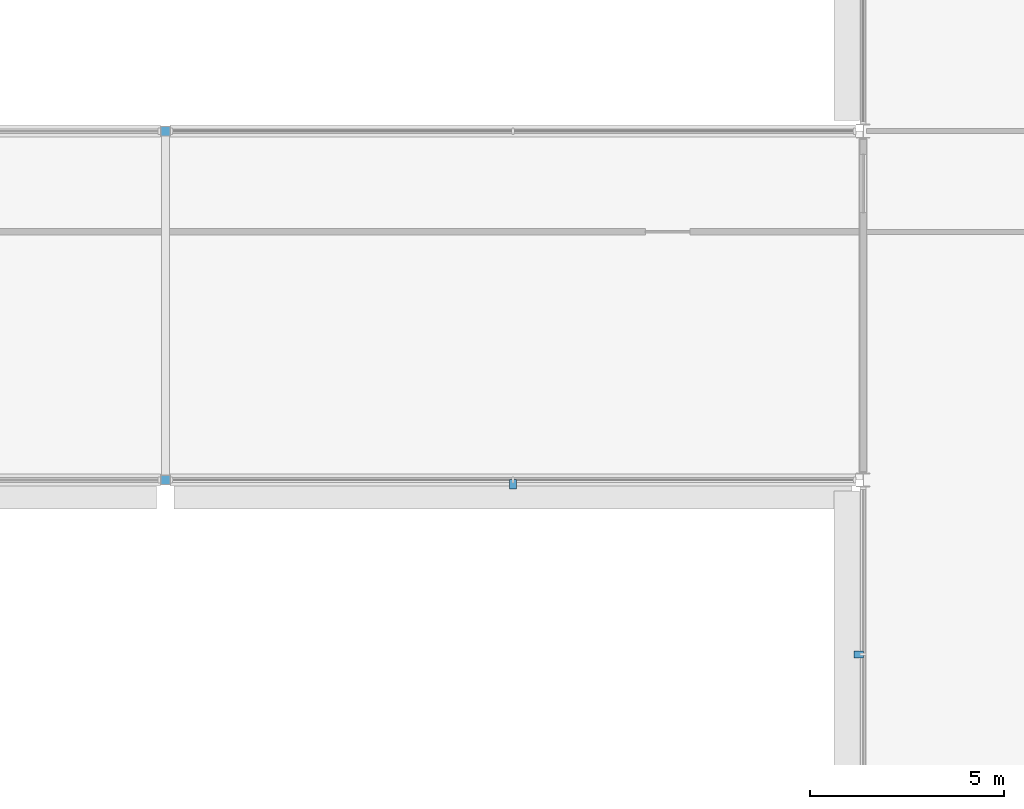
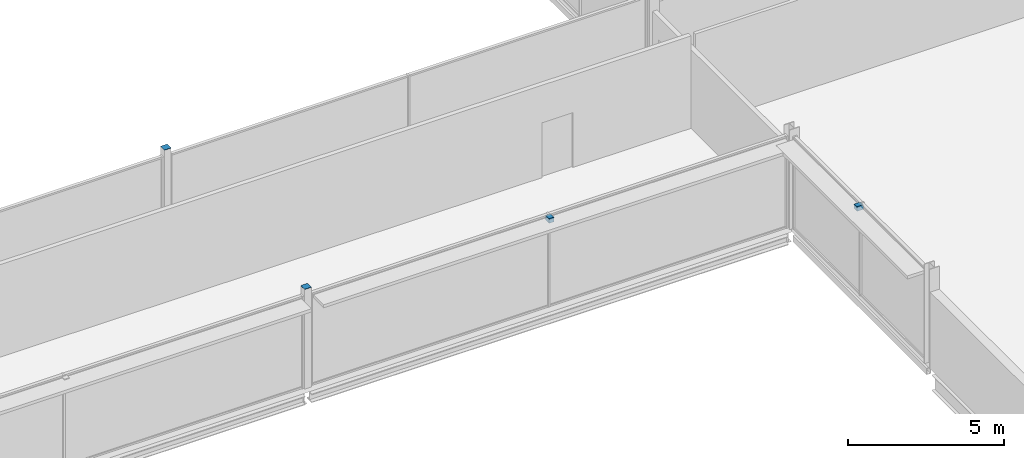
# One storey, part 79 of 98: 4 discrete accessories.
"""IFC4 building model written with IfcOpenShell, lengths in metres."""

from ifc_helpers import new_model, si_unit, direction, frame, origin, origin_2d, place, context, subcontext, project, spatial, polyline, rectangle, outline, extrude, material, layer, layer_set, type_object, element, save


model = new_model("IFC4")

# Units and contexts
model_context = context("Model", 3, precision=1e-05, world=origin(), true_north=direction((0.0, 1.0)))
body_context = subcontext(model_context, "Body", "Model", "MODEL_VIEW")
ifc_project = project(units=[si_unit("LENGTHUNIT", "METRE"), si_unit("AREAUNIT", "SQUARE_METRE"), si_unit("VOLUMEUNIT", "CUBIC_METRE"), si_unit("PLANEANGLEUNIT", "RADIAN"), si_unit("MASSUNIT", "GRAM", prefix="KILO")], contexts=[model_context])

# Site, building, storey
site_placement = place(None, origin())
site = spatial("IfcSite", under=ifc_project, at=site_placement, CompositionType="ELEMENT")
building_placement = place(site_placement, origin())
building = spatial("IfcBuilding", under=site, at=building_placement, Name="Kisiwana Market Hall", CompositionType="ELEMENT")
storey_placement = place(building_placement, frame((0.0, 0.0, 29.39990234375)))
storey = spatial("IfcBuildingStorey", under=building, at=storey_placement, Name="L06", CompositionType="ELEMENT", Elevation=29.39990234375)

# Discrete accessories
ifc_material_1 = material(Name="Steel S355", Category="steel")
discrete_accessory_type_1 = type_object("IfcDiscreteAccessoryType", Name="ACC-BRACKET-STL", PredefinedType="BRACKET", material=ifc_material_1)
for number, where, z_axis, x_axis, name in (
    (1, (143.969970703125, 92.889892578125, 3.41015625), (0.0, 0.0, 1.0), (1.0, 0.0, 0.0), "Sunshade steel bracket BRK-115"),
    (2, (152.889892578125, 88.5, 3.41015625), (0.0, 0.0, 1.0), (0.0, 1.0, 0.0), "Sunshade steel bracket BRK-123"),
):
    element("IfcDiscreteAccessory", number, at=place(storey_placement, frame(where, z_axis=z_axis, x_axis=x_axis)), inside=storey, type_object=discrete_accessory_type_1, Name=name, PredefinedType="BRACKET", context=body_context, shape_type="SweptSolid", body=[
        extrude(rectangle(XDim=0.179931640625, YDim=0.239990234375, at=origin_2d()), origin(), (0.0, 0.0, 1.0), 0.179931640625),
    ])
ifc_material_2 = material(Name="Steel S355", Category="steel")
ifc_layer = layer(ifc_material_2, 0.011962890625)
ifc_layer_set = layer_set([ifc_layer], Name="ACC-ENDCAP-STL")
discrete_accessory_type_2 = type_object("IfcDiscreteAccessoryType", Name="ACC-ENDCAP-STL", PredefinedType="USERDEFINED", material=ifc_layer_set)
discrete_accessory_1_placement = place(storey_placement, frame((0.0, 0.0, 3.900146484375)))
element("IfcDiscreteAccessory", 3, at=discrete_accessory_1_placement, inside=storey, type_object=discrete_accessory_type_2, Name="End cap plate EC-0013", ObjectType="End cap plate", PredefinedType="USERDEFINED", context=body_context, shape_type="SweptSolid", body=[
    extrude(outline(polyline([(134.875, 92.875), (135.125, 92.875), (135.125, 93.125), (134.875, 93.125), (134.875, 92.875)])), origin(), (0.0, 0.0, 1.0), 0.011962890625),
])
discrete_accessory_2_placement = place(storey_placement, frame((0.0, 0.0, 3.900146484375)))
element("IfcDiscreteAccessory", 4, at=discrete_accessory_2_placement, inside=storey, type_object=discrete_accessory_type_2, Name="End cap plate EC-0014", ObjectType="End cap plate", PredefinedType="USERDEFINED", context=body_context, shape_type="SweptSolid", body=[
    extrude(outline(polyline([(134.875, 101.875), (135.125, 101.875), (135.125, 102.125), (134.875, 102.125), (134.875, 101.875)])), origin(), (0.0, 0.0, 1.0), 0.011962890625),
])

save(model, "model.ifc")
